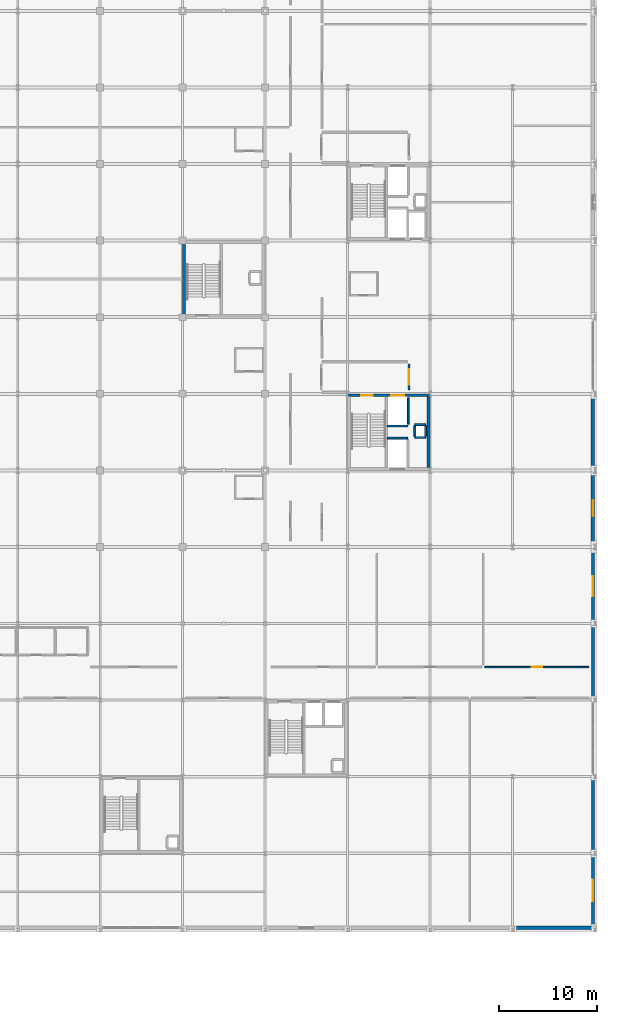
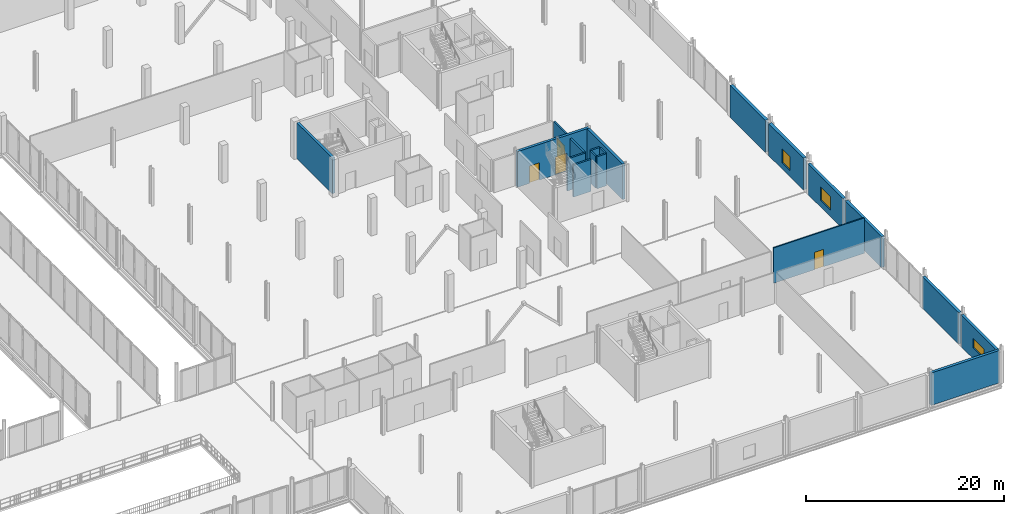
# One storey, part 74 of 98: 19 walls, 4 doors, 3 windows, 7 openings.
"""IFC4 building model written with IfcOpenShell, lengths in metres."""

from ifc_helpers import new_model, si_unit, direction, frame, frame_2d, origin, place, context, subcontext, project, spatial, rectangle, extrude, material, layer, layer_set, type_object, element, fill, save


model = new_model("IFC4")

# Units and contexts
model_context = context("Model", 3, precision=1e-05, world=origin(), true_north=direction((0.0, 1.0)))
body_context = subcontext(model_context, "Body", "Model", "MODEL_VIEW")
ifc_project = project(units=[si_unit("LENGTHUNIT", "METRE"), si_unit("AREAUNIT", "SQUARE_METRE"), si_unit("VOLUMEUNIT", "CUBIC_METRE"), si_unit("PLANEANGLEUNIT", "RADIAN"), si_unit("MASSUNIT", "GRAM", prefix="KILO")], contexts=[model_context])

# Site, building, storey
site_placement = place(None, origin())
site = spatial("IfcSite", under=ifc_project, at=site_placement, CompositionType="ELEMENT")
building_placement = place(site_placement, origin())
building = spatial("IfcBuilding", under=site, at=building_placement, Name="Nabrawat Pavilion Hospital", CompositionType="ELEMENT")
storey_placement = place(building_placement, frame((0.0, 0.0, 10.199951171875)))
storey = spatial("IfcBuildingStorey", under=building, at=storey_placement, Name="L02", CompositionType="ELEMENT", Elevation=10.199951171875)

# Wall, opening, door
ifc_material_1 = material(Name="Gypsum Fireboard on Steel Stud", Category="steel")
ifc_layer_1 = layer(ifc_material_1, 0.14990234375, Name="Gypsum Fireboard on Steel Stud")
ifc_layer_set_1 = layer_set([ifc_layer_1], Name="Gypsum Fireboard on Steel Stud")
wall_type_1 = type_object("IfcWallType", Name="Clinical Corridor Smoke-Barrier Wall 150", PredefinedType="PARTITIONING", material=ifc_layer_set_1)
wall_1_placement = place(storey_placement, frame((181.97998046875, 26.764892578125, 0.0), z_axis=(0.0, 0.0, 1.0), x_axis=(1.0, 0.0, 0.0)))
wall_1 = element("IfcWall", 1, at=wall_1_placement, inside=storey, type_object=wall_type_1, Name="L02 Outpatient Clinic Rheumatology Room L02-08 Front Partition", PredefinedType="PARTITIONING", context=body_context, shape_type="SweptSolid", body=[
    extrude(rectangle(XDim=10.60009765625, YDim=0.14990234375, at=frame_2d((5.300048828125, 0.0))), origin(), (0.0, 0.0, 1.0), 4.3701171875),
])
opening_1_placement = place(wall_1_placement, frame((4.77490234375, 0.0, 0.0)))
opening_1 = element("IfcOpeningElement", 2, at=opening_1_placement, cuts=wall_1, Name="Opening D-OPC-R", PredefinedType="OPENING", context=body_context, shape_type="SweptSolid", body=[
    extrude(rectangle(XDim=1.050048828125, YDim=2.14990234375, at=frame_2d((0.52490234375, 1.074951171875))), frame((0.0, 0.0849609375, 0.0), z_axis=(0.0, -1.0, 0.0), x_axis=(1.0, 0.0, 0.0)), (0.0, 0.0, 1.0), 0.169921875),
])
ifc_material_2 = material(Name="Stainless-Clad Acoustic Timber and Vision Glass", Category="wood")
door_type_1 = type_object("IfcDoorType", Name="Outpatient Clinic Consultation Door R 1050x2150", OperationType="NOTDEFINED", PredefinedType="DOOR", material=ifc_material_2)
door_1_placement = place(opening_1_placement, origin())
door_1 = element("IfcDoor", 3, at=door_1_placement, inside=storey, type_object=door_type_1, Name="Outpatient Clinic Rheumatology Room L02-08 Door", OperationType="SINGLE_SWING_LEFT", OverallHeight=2.14990234375, OverallWidth=1.050048828125, PredefinedType="DOOR", context=body_context, shape_type="SweptSolid", body=[
    extrude(rectangle(XDim=1.050048828125, YDim=2.14990234375, at=frame_2d((0.52490234375, 1.074951171875))), frame((0.0, 0.02490234375, 0.0), z_axis=(0.0, -1.0, 0.0), x_axis=(1.0, 0.0, 0.0)), (0.0, 0.0, 1.0), 0.050048828125),
])
fill(opening_1, door_1)

# Wall
ifc_material_3 = material(Name="Precast concrete C40/50", Category="concrete")
ifc_layer_2 = layer(ifc_material_3, 0.320068359375, Name="Precast concrete C40/50")
ifc_layer_set_2 = layer_set([ifc_layer_2], Name="Precast concrete C40/50")
wall_type_2 = type_object("IfcWallType", Name="Deep-Reveal Precast Facade Wall 320", PredefinedType="SOLIDWALL", material=ifc_layer_set_2)
wall_2_placement = place(storey_placement, frame((185.0, 0.219970703125, 0.0), z_axis=(0.0, 0.0, 1.0), x_axis=(1.0, 0.0, 0.0)))
element("IfcWall", 4, at=wall_2_placement, inside=storey, type_object=wall_type_2, Name="L02 Deep-Reveal Precast Facade Wall 320 277", PredefinedType="SOLIDWALL", context=body_context, shape_type="SweptSolid", body=[
    extrude(rectangle(XDim=8.0, YDim=0.320068359375, at=frame_2d((4.0, 0.0))), origin(), (0.0, 0.0, 1.0), 4.0),
])

# Wall, opening, window
wall_3_placement = place(storey_placement, frame((192.97998046875, 0.43994140625, 0.0), z_axis=(0.0, 0.0, 1.0), x_axis=(0.0, 1.0, 0.0)))
wall_3 = element("IfcWall", 5, at=wall_3_placement, inside=storey, type_object=wall_type_2, Name="L02 Deep-Reveal Precast Facade Wall 320 286", PredefinedType="SOLIDWALL", context=body_context, shape_type="SweptSolid", body=[
    extrude(rectangle(XDim=7.130126953125, YDim=0.320068359375, at=frame_2d((3.56494140625, 0.0))), origin(), (0.0, 0.0, 1.0), 3.900146484375),
])
opening_2_placement = place(wall_3_placement, frame((2.465087890625, 0.0, 1.35009765625)))
opening_2 = element("IfcOpeningElement", 6, at=opening_2_placement, cuts=wall_3, Name="Opening WN-11", PredefinedType="OPENING", context=body_context, shape_type="SweptSolid", body=[
    extrude(rectangle(XDim=2.199951171875, YDim=1.14990234375, at=frame_2d((1.10009765625, 0.574951171875))), frame((0.0, 0.169921875, 0.0), z_axis=(0.0, -1.0, 0.0), x_axis=(1.0, 0.0, 0.0)), (0.0, 0.0, 1.0), 0.340087890625),
])
ifc_material_4 = material(Name="Thermally Broken Aluminium and Solar Glass", Category="aluminium")
window_type_1 = type_object("IfcWindowType", Name="Diagnostic Laboratory Clerestory 2200x1150", PartitioningType="SINGLE_PANEL", PredefinedType="WINDOW", material=ifc_material_4)
window_1_placement = place(opening_2_placement, origin())
window_1 = element("IfcWindow", 7, at=window_1_placement, inside=storey, type_object=window_type_1, Name="L02 Diagnostic Laboratory Clerestory 2200x1150 107", OverallHeight=1.14990234375, OverallWidth=2.199951171875, PartitioningType="SINGLE_PANEL", PredefinedType="WINDOW", context=body_context, shape_type="SweptSolid", body=[
    extrude(rectangle(XDim=2.199951171875, YDim=1.14990234375, at=frame_2d((1.10009765625, 0.574951171875))), frame((0.0, 0.030029296875, 0.0), z_axis=(0.0, -1.0, 0.0), x_axis=(1.0, 0.0, 0.0)), (0.0, 0.0, 1.0), 0.06005859375),
])
fill(opening_2, window_1)

# Walls
wall_4_placement = place(storey_placement, frame((192.97998046875, 8.030029296875, 0.0), z_axis=(0.0, 0.0, 1.0), x_axis=(0.0, 1.0, 0.0)))
element("IfcWall", 8, at=wall_4_placement, inside=storey, type_object=wall_type_2, Name="L02 Deep-Reveal Precast Facade Wall 320 287", PredefinedType="SOLIDWALL", context=body_context, shape_type="SweptSolid", body=[
    extrude(rectangle(XDim=7.340087890625, YDim=0.320068359375, at=frame_2d((3.669921875, 0.0))), origin(), (0.0, 0.0, 1.0), 3.900146484375),
])
wall_5_placement = place(storey_placement, frame((192.97998046875, 23.6298828125, 0.0), z_axis=(0.0, 0.0, 1.0), x_axis=(0.0, 1.0, 0.0)))
element("IfcWall", 9, at=wall_5_placement, inside=storey, type_object=wall_type_2, Name="L02 Deep-Reveal Precast Facade Wall 320 288", PredefinedType="SOLIDWALL", context=body_context, shape_type="SweptSolid", body=[
    extrude(rectangle(XDim=7.340087890625, YDim=0.320068359375, at=frame_2d((3.669921875, 0.0))), origin(), (0.0, 0.0, 1.0), 3.800048828125),
])

# Wall, opening, window
wall_6_placement = place(storey_placement, frame((192.97998046875, 31.429931640625, 0.0), z_axis=(0.0, 0.0, 1.0), x_axis=(0.0, 1.0, 0.0)))
wall_6 = element("IfcWall", 10, at=wall_6_placement, inside=storey, type_object=wall_type_2, Name="L02 Deep-Reveal Precast Facade Wall 320 289", PredefinedType="SOLIDWALL", context=body_context, shape_type="SweptSolid", body=[
    extrude(rectangle(XDim=7.130126953125, YDim=0.320068359375, at=frame_2d((3.56494140625, 0.0))), origin(), (0.0, 0.0, 1.0), 3.800048828125),
])
opening_3_placement = place(wall_6_placement, frame((2.56494140625, 0.0, 0.85009765625)))
opening_3 = element("IfcOpeningElement", 11, at=opening_3_placement, cuts=wall_6, Name="Opening WN-12", PredefinedType="OPENING", context=body_context, shape_type="SweptSolid", body=[
    extrude(rectangle(XDim=2.0, YDim=1.64990234375, at=frame_2d((1.0, 0.824951171875))), frame((0.0, 0.169921875, 0.0), z_axis=(0.0, -1.0, 0.0), x_axis=(1.0, 0.0, 0.0)), (0.0, 0.0, 1.0), 0.340087890625),
])
window_type_2 = type_object("IfcWindowType", Name="ICU Observation Daylight Window 2000x1650", PartitioningType="SINGLE_PANEL", PredefinedType="WINDOW", material=ifc_material_4)
window_2_placement = place(opening_3_placement, origin())
window_2 = element("IfcWindow", 12, at=window_2_placement, inside=storey, type_object=window_type_2, Name="L02 ICU Observation Daylight Window 2000x1650 108", OverallHeight=1.64990234375, OverallWidth=2.0, PartitioningType="SINGLE_PANEL", PredefinedType="WINDOW", context=body_context, shape_type="SweptSolid", body=[
    extrude(rectangle(XDim=2.0, YDim=1.64990234375, at=frame_2d((1.0, 0.824951171875))), frame((0.0, 0.030029296875, 0.0), z_axis=(0.0, -1.0, 0.0), x_axis=(1.0, 0.0, 0.0)), (0.0, 0.0, 1.0), 0.06005859375),
])
fill(opening_3, window_2)

# Wall, opening, door
ifc_material_5 = material(Name="Concrete C35/45", Category="concrete")
ifc_layer_3 = layer(ifc_material_5, 0.199951171875, Name="Concrete C35/45")
ifc_layer_set_3 = layer_set([ifc_layer_3], Name="Concrete C35/45")
wall_type_3 = type_object("IfcWallType", Name="Firefighting Lobby Compartment Wall 200", PredefinedType="PARTITIONING", material=ifc_layer_set_3)
wall_7_placement = place(storey_placement, frame((174.25, 55.0, 0.0), z_axis=(0.0, 0.0, 1.0), x_axis=(0.0, 1.0, 0.0)))
wall_7 = element("IfcWall", 13, at=wall_7_placement, inside=storey, type_object=wall_type_3, Name="L02 CORE-5 Firefighting Lobby East Compartment Wall", PredefinedType="PARTITIONING", context=body_context, shape_type="SweptSolid", body=[
    extrude(rectangle(XDim=2.64990234375, YDim=0.199951171875, at=frame_2d((1.324951171875, 0.0))), origin(), (0.0, 0.0, 1.0), 3.949951171875),
])
opening_4_placement = place(wall_7_placement, frame((0.52490234375, 0.0, 0.0)))
opening_4 = element("IfcOpeningElement", 14, at=opening_4_placement, cuts=wall_7, Name="Opening D-FFL", PredefinedType="OPENING", context=body_context, shape_type="SweptSolid", body=[
    extrude(rectangle(XDim=1.60009765625, YDim=2.199951171875, at=frame_2d((0.800048828125, 1.10009765625))), frame((0.0, 0.10986328125, 0.0), z_axis=(0.0, -1.0, 0.0), x_axis=(1.0, 0.0, 0.0)), (0.0, 0.0, 1.0), 0.219970703125),
])
door_type_2 = type_object("IfcDoorType", Name="D-FFL Firefighting Lobby Double Smoke Door 1600x2200", OperationType="NOTDEFINED", PredefinedType="DOOR", material=ifc_material_2)
door_2_placement = place(opening_4_placement, origin())
door_2 = element("IfcDoor", 15, at=door_2_placement, inside=storey, type_object=door_type_2, Name="L02 CORE-5 Firefighting Lobby East Smoke Door", OperationType="DOUBLE_DOOR_SINGLE_SWING", OverallHeight=2.199951171875, OverallWidth=1.60009765625, PredefinedType="DOOR", context=body_context, shape_type="SweptSolid", body=[
    extrude(rectangle(XDim=1.60009765625, YDim=2.199951171875, at=frame_2d((0.800048828125, 1.10009765625))), frame((0.0, 0.02490234375, 0.0), z_axis=(0.0, -1.0, 0.0), x_axis=(1.0, 0.0, 0.0)), (0.0, 0.0, 1.0), 0.050048828125),
])
fill(opening_4, door_2)

# Walls
ifc_layer_4 = layer(ifc_material_5, 0.199951171875, Name="Concrete C35/45")
ifc_layer_set_4 = layer_set([ifc_layer_4], Name="Concrete C35/45")
wall_type_4 = type_object("IfcWallType", Name="Lift and Riser Fire Shaft Wall 200", PredefinedType="PARTITIONING", material=ifc_layer_set_4)
for number, where, z_axis, x_axis, name in (
    (16, (174.85009765625, 50.14990234375, 0.0), (0.0, 0.0, 1.0), (1.0, 0.0, 0.0), "L02 CORE-5 MEP Riser Shaft Wall S"),
    (17, (174.85009765625, 51.449951171875, 0.0), (0.0, 0.0, 1.0), (1.0, 0.0, 0.0), "L02 CORE-5 MEP Riser Shaft Wall N"),
):
    element("IfcWall", number, at=place(storey_placement, frame(where, z_axis=z_axis, x_axis=x_axis)), inside=storey, type_object=wall_type_4, Name=name, PredefinedType="PARTITIONING", context=body_context, shape_type="SweptSolid", body=[
        extrude(rectangle(XDim=1.099853515625, YDim=0.199951171875, at=frame_2d((0.5498046875, 0.0))), origin(), (0.0, 0.0, 1.0), 3.949951171875),
    ])
for number, where, z_axis, x_axis, name in (
    (18, (174.85009765625, 50.27001953125, 0.0), (0.0, 0.0, 1.0), (0.0, 1.0, 0.0), "L02 CORE-5 MEP Riser Shaft Wall W"),
    (19, (175.949951171875, 50.27001953125, 0.0), (0.0, 0.0, 1.0), (0.0, 1.0, 0.0), "L02 CORE-5 MEP Riser Shaft Wall E"),
):
    element("IfcWall", number, at=place(storey_placement, frame(where, z_axis=z_axis, x_axis=x_axis)), inside=storey, type_object=wall_type_4, Name=name, PredefinedType="PARTITIONING", context=body_context, shape_type="SweptSolid", body=[
        extrude(rectangle(XDim=1.06005859375, YDim=0.199951171875, at=frame_2d((0.530029296875, 0.0))), origin(), (0.0, 0.0, 1.0), 3.949951171875),
    ])
wall_8_placement = place(storey_placement, frame((174.179931640625, 51.47998046875, 0.0), z_axis=(0.0, 0.0, 1.0), x_axis=(0.0, 1.0, 0.0)))
element("IfcWall", 20, at=wall_8_placement, inside=storey, type_object=wall_type_4, Name="L02 Lift LF-01 Shaft East Wall", PredefinedType="PARTITIONING", context=body_context, shape_type="SweptSolid", body=[
    extrude(rectangle(XDim=2.739990234375, YDim=0.199951171875, at=frame_2d((1.3701171875, 0.0))), origin(), (0.0, 0.0, 1.0), 3.949951171875),
])
wall_9_placement = place(storey_placement, frame((172.050048828125, 51.320068359375, 0.0), z_axis=(0.0, 0.0, 1.0), x_axis=(1.0, 0.0, 0.0)))
element("IfcWall", 21, at=wall_9_placement, inside=storey, type_object=wall_type_4, Name="L02 Lift LF-01 Shaft Back Wall", PredefinedType="PARTITIONING", context=body_context, shape_type="SweptSolid", body=[
    extrude(rectangle(XDim=2.099853515625, YDim=0.199951171875, at=frame_2d((1.0498046875, 0.0))), origin(), (0.0, 0.0, 1.0), 3.949951171875),
])
wall_10_placement = place(storey_placement, frame((172.050048828125, 50.080078125, 0.0), z_axis=(0.0, 0.0, 1.0), x_axis=(1.0, 0.0, 0.0)))
element("IfcWall", 22, at=wall_10_placement, inside=storey, type_object=wall_type_4, Name="L02 Lift LB-03 Shaft Back Wall", PredefinedType="PARTITIONING", context=body_context, shape_type="SweptSolid", body=[
    extrude(rectangle(XDim=2.06005859375, YDim=0.199951171875, at=frame_2d((1.030029296875, 0.0))), origin(), (0.0, 0.0, 1.0), 3.949951171875),
])

# Wall, openings, doors
ifc_material_6 = material(Name="Concrete C40/50", Category="concrete")
ifc_layer_5 = layer(ifc_material_6, 0.300048828125, Name="Concrete C40/50")
ifc_layer_set_5 = layer_set([ifc_layer_5], Name="Concrete C40/50")
wall_type_5 = type_object("IfcWallType", Name="Reinforced Concrete Core Shear Wall 300", PredefinedType="SHEAR", material=ifc_layer_set_5)
wall_11_placement = place(storey_placement, frame((168.0, 54.449951171875, 0.0), z_axis=(0.0, 0.0, 1.0), x_axis=(1.0, 0.0, 0.0)))
wall_11 = element("IfcWall", 23, at=wall_11_placement, inside=storey, type_object=wall_type_5, Name="L02 CORE-5 North Core Shear Wall", PredefinedType="SHEAR", context=body_context, shape_type="SweptSolid", body=[
    extrude(rectangle(XDim=8.39990234375, YDim=0.300048828125, at=frame_2d((4.199951171875, 0.0))), origin(), (0.0, 0.0, 1.0), 4.41015625),
])
opening_5_placement = place(wall_11_placement, frame((1.3798828125, 0.0, 0.0)))
opening_5 = element("IfcOpeningElement", 24, at=opening_5_placement, cuts=wall_11, Name="Opening D-STAIR", PredefinedType="OPENING", context=body_context, shape_type="SweptSolid", body=[
    extrude(rectangle(XDim=1.199951171875, YDim=2.14990234375, at=frame_2d((0.60009765625, 1.074951171875))), frame((0.0, 0.16015625, 0.0), z_axis=(0.0, -1.0, 0.0), x_axis=(1.0, 0.0, 0.0)), (0.0, 0.0, 1.0), 0.320068359375),
])
opening_6_placement = place(wall_11_placement, frame((4.449951171875, 0.0, 0.0)))
opening_6 = element("IfcOpeningElement", 25, at=opening_6_placement, cuts=wall_11, Name="Opening LD-LF-01", PredefinedType="OPENING", context=body_context, shape_type="SweptSolid", body=[
    extrude(rectangle(XDim=1.300048828125, YDim=2.199951171875, at=frame_2d((0.64990234375, 1.10009765625))), frame((0.0, 0.16015625, 0.0), z_axis=(0.0, -1.0, 0.0), x_axis=(1.0, 0.0, 0.0)), (0.0, 0.0, 1.0), 0.320068359375),
])
door_type_3 = type_object("IfcDoorType", Name="D-STAIR Exit Stair Fire Door 1200x2150", OperationType="NOTDEFINED", PredefinedType="DOOR", material=ifc_material_2)
door_3_placement = place(opening_5_placement, origin())
door_3 = element("IfcDoor", 26, at=door_3_placement, inside=storey, type_object=door_type_3, Name="L02 ST-05 Fire Exit Stair Door", OperationType="SINGLE_SWING_RIGHT", OverallHeight=2.14990234375, OverallWidth=1.199951171875, PredefinedType="DOOR", context=body_context, shape_type="SweptSolid", body=[
    extrude(rectangle(XDim=1.199951171875, YDim=2.14990234375, at=frame_2d((0.60009765625, 1.074951171875))), frame((0.0, 0.02490234375, 0.0), z_axis=(0.0, -1.0, 0.0), x_axis=(1.0, 0.0, 0.0)), (0.0, 0.0, 1.0), 0.050048828125),
])
fill(opening_5, door_3)
door_type_4 = type_object("IfcDoorType", Name="Firefighting Lift Sliding Landing Door 1300x2200", OperationType="DOUBLE_DOOR_SLIDING", PredefinedType="DOOR", material=ifc_material_2)
door_4_placement = place(opening_6_placement, origin())
door_4 = element("IfcDoor", 27, at=door_4_placement, inside=storey, type_object=door_type_4, Name="L02 Lift LF-01 Sliding Landing Door", OperationType="DOUBLE_DOOR_SLIDING", OverallHeight=2.199951171875, OverallWidth=1.300048828125, PredefinedType="DOOR", context=body_context, shape_type="SweptSolid", body=[
    extrude(rectangle(XDim=1.300048828125, YDim=2.199951171875, at=frame_2d((0.64990234375, 1.10009765625))), frame((0.0, 0.02490234375, 0.0), z_axis=(0.0, -1.0, 0.0), x_axis=(1.0, 0.0, 0.0)), (0.0, 0.0, 1.0), 0.050048828125),
])
fill(opening_6, door_4)

# Walls
for number, where, z_axis, x_axis, name in (
    (28, (176.25, 47.10009765625, 0.0), (0.0, 0.0, 1.0), (0.0, 1.0, 0.0), "L02 CORE-5 East Core Shear Wall"),
    (29, (151.35009765625, 62.699951171875, 0.0), (0.0, 0.0, 1.0), (0.0, 1.0, 0.0), "L02 CORE-9 West Core Shear Wall"),
):
    element("IfcWall", number, at=place(storey_placement, frame(where, z_axis=z_axis, x_axis=x_axis)), inside=storey, type_object=wall_type_5, Name=name, PredefinedType="SHEAR", context=body_context, shape_type="SweptSolid", body=[
        extrude(rectangle(XDim=7.199951171875, YDim=0.300048828125, at=frame_2d((3.60009765625, 0.0))), origin(), (0.0, 0.0, 1.0), 4.41015625),
    ])

# Wall, opening, window
ifc_layer_6 = layer(ifc_material_3, 0.360107421875, Name="Precast concrete C40/50")
ifc_layer_set_6 = layer_set([ifc_layer_6], Name="Precast concrete C40/50")
wall_type_6 = type_object("IfcWallType", Name="Surgical Acoustic Precast Facade Wall 360", PredefinedType="SOLIDWALL", material=ifc_layer_set_6)
wall_12_placement = place(storey_placement, frame((192.97998046875, 39.43994140625, 0.0), z_axis=(0.0, 0.0, 1.0), x_axis=(0.0, 1.0, 0.0)))
wall_12 = element("IfcWall", 30, at=wall_12_placement, inside=storey, type_object=wall_type_6, Name="L02 Surgical Acoustic Precast Facade Wall 360 290", PredefinedType="SOLIDWALL", context=body_context, shape_type="SweptSolid", body=[
    extrude(rectangle(XDim=7.03515625, YDim=0.360107421875, at=frame_2d((3.517578125, 0.0))), origin(), (0.0, 0.0, 1.0), 3.949951171875),
])
opening_7_placement = place(wall_12_placement, frame((2.6923828125, 0.0, 0.75)))
opening_7 = element("IfcOpeningElement", 31, at=opening_7_placement, cuts=wall_12, Name="Opening WN-13", PredefinedType="OPENING", context=body_context, shape_type="SweptSolid", body=[
    extrude(rectangle(XDim=1.64990234375, YDim=1.75, at=frame_2d((0.824951171875, 0.875))), frame((0.0, 0.18994140625, 0.0), z_axis=(0.0, -1.0, 0.0), x_axis=(1.0, 0.0, 0.0)), (0.0, 0.0, 1.0), 0.380126953125),
])
window_type_3 = type_object("IfcWindowType", Name="Paediatric Ward Low-Sill Window 1650x1750", PartitioningType="SINGLE_PANEL", PredefinedType="WINDOW", material=ifc_material_4)
window_3_placement = place(opening_7_placement, origin())
window_3 = element("IfcWindow", 32, at=window_3_placement, inside=storey, type_object=window_type_3, Name="L02 Paediatric Ward Low-Sill Window 1650x1750 109", OverallHeight=1.75, OverallWidth=1.64990234375, PartitioningType="SINGLE_PANEL", PredefinedType="WINDOW", context=body_context, shape_type="SweptSolid", body=[
    extrude(rectangle(XDim=1.64990234375, YDim=1.75, at=frame_2d((0.824951171875, 0.875))), frame((0.0, 0.030029296875, 0.0), z_axis=(0.0, -1.0, 0.0), x_axis=(1.0, 0.0, 0.0)), (0.0, 0.0, 1.0), 0.06005859375),
])
fill(opening_7, window_3)

# Wall
wall_13_placement = place(storey_placement, frame((192.97998046875, 47.125, 0.0), z_axis=(0.0, 0.0, 1.0), x_axis=(0.0, 1.0, 0.0)))
element("IfcWall", 33, at=wall_13_placement, inside=storey, type_object=wall_type_6, Name="L02 Surgical Acoustic Precast Facade Wall 360 291", PredefinedType="SOLIDWALL", context=body_context, shape_type="SweptSolid", body=[
    extrude(rectangle(XDim=7.14990234375, YDim=0.360107421875, at=frame_2d((3.574951171875, 0.0))), origin(), (0.0, 0.0, 1.0), 3.949951171875),
])

save(model, "model.ifc")
